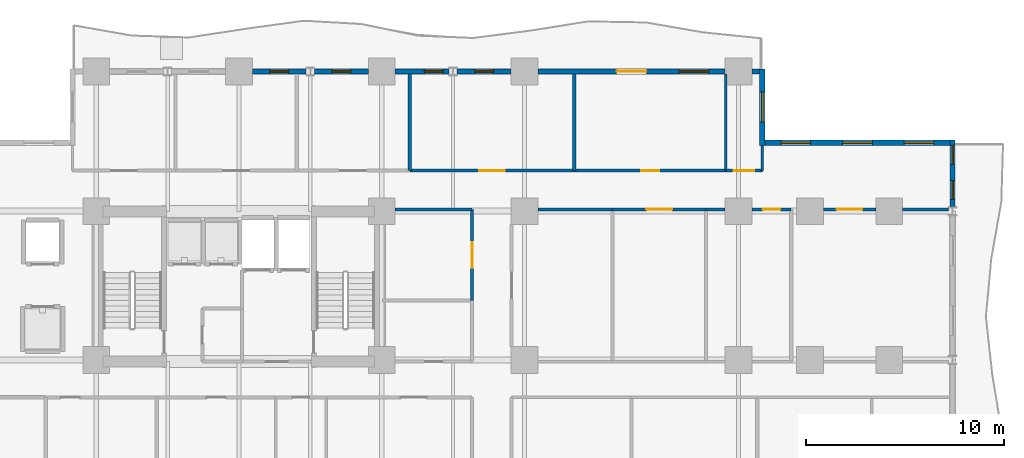
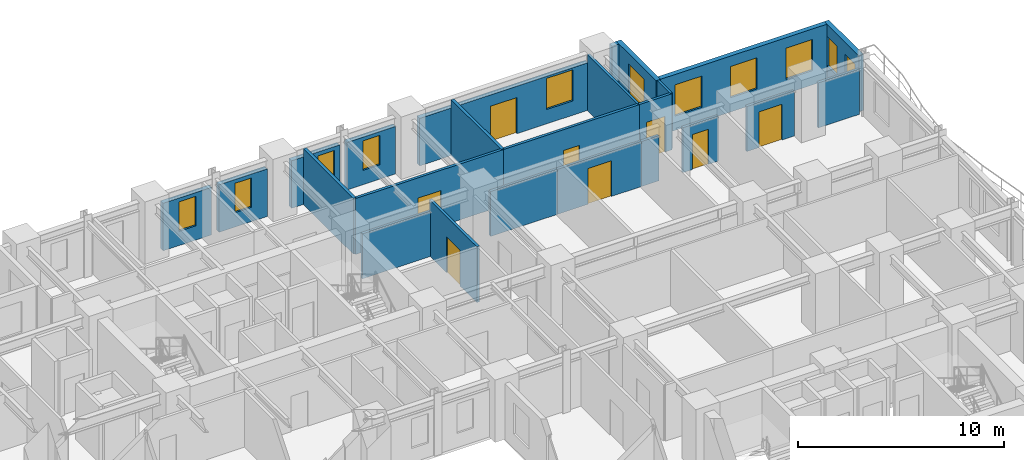
# One storey, part 7 of 12: 24 walls, 11 windows, 8 doors, 19 openings.
"""IFC4 building model written with IfcOpenShell, lengths in metres."""

import ifcopenshell
import ifcopenshell.guid

model = None  # the IFC model being written
_history = None  # IfcOwnerHistory: only IFC2X3 demands one
_inside = {}  # id of a spatial element -> (the spatial element, [elements in it])
_under = {}  # id of a project, library or spatial element -> (it, [spatial elements below it])
_declared = {}  # id of a project -> (the project, [libraries it declares])
_typed = {}  # id of a type object -> (the type object, [elements of that type])
_made_of = {}  # id of a material, layer set ... -> (it, [elements and type objects made of it])


def new_model(schema):
    """Start an empty IFC model of exactly this schema.

    Asked for "IFC4X3", IfcOpenShell would pick the latest addendum, in which some entities
    have other attributes; the version numbers below select the first issue.
    IFC2X3 requires an IfcOwnerHistory on every rooted entity: one is made here for all.
    """
    global model, _history
    if schema == "IFC4X3":
        model = ifcopenshell.file(schema_version=(4, 3, 0, 0))
    else:
        model = ifcopenshell.file(schema=schema)
    _inside.clear()
    _under.clear()
    _declared.clear()
    _typed.clear()
    _made_of.clear()
    _history = None
    if model.schema == "IFC2X3":
        org = make("IfcOrganization", Name="unknown")
        user = make(
            "IfcPersonAndOrganization",
            ThePerson=make("IfcPerson", FamilyName="unknown"),
            TheOrganization=org,
        )
        app = make(
            "IfcApplication",
            ApplicationDeveloper=org,
            Version="unknown",
            ApplicationFullName="unknown",
            ApplicationIdentifier="unknown",
        )
        _history = make(
            "IfcOwnerHistory",
            OwningUser=user,
            OwningApplication=app,
            ChangeAction="ADDED",
            CreationDate=0,
        )
    return model


def make(cls, **values):
    """One entity of the class cls with the attributes given. An attribute that is None is left unset."""
    return model.create_entity(
        cls, **{name: value for name, value in values.items() if value is not None}
    )


def rooted(cls, **values):
    """An entity with a GlobalId (a new one), such as an element, a storey or a relation."""
    return make(cls, GlobalId=ifcopenshell.guid.new(), OwnerHistory=_history, **values)


def si_unit(unit_type, name, prefix=None):
    """IfcSIUnit, for example si_unit("LENGTHUNIT", "METRE", prefix="MILLI")."""
    return make("IfcSIUnit", UnitType=unit_type, Prefix=prefix, Name=name)


def assignment(units):
    """IfcUnitAssignment: the units of a project."""
    return None if units is None else make("IfcUnitAssignment", Units=units)


def point(xyz):
    """IfcCartesianPoint."""
    return None if xyz is None else make("IfcCartesianPoint", Coordinates=xyz)


def direction(xyz):
    """IfcDirection."""
    return None if xyz is None else make("IfcDirection", DirectionRatios=xyz)


def frame(location, z_axis=None, x_axis=None):
    """IfcAxis2Placement3D, a coordinate frame: its origin and axes. An axis left out is left unset."""
    return make(
        "IfcAxis2Placement3D",
        Location=point(location),
        Axis=direction(z_axis),
        RefDirection=direction(x_axis),
    )


def frame_2d(location, x_axis=None):
    """IfcAxis2Placement2D, a coordinate frame in the plane: its origin and x axis."""
    return make(
        "IfcAxis2Placement2D", Location=point(location), RefDirection=direction(x_axis)
    )


def origin():
    """The frame at (0, 0, 0) with its axes left unset."""
    return frame((0.0, 0.0, 0.0))


def place(relative_to, where):
    """IfcLocalPlacement: puts the frame where relative to a parent placement (None: the world)."""
    return make(
        "IfcLocalPlacement", PlacementRelTo=relative_to, RelativePlacement=where
    )


def context(
    kind, dimensions, precision=None, world=None, true_north=None, identifier=None
):
    """IfcGeometricRepresentationContext, for example the 3D "Model" context."""
    return make(
        "IfcGeometricRepresentationContext",
        ContextIdentifier=identifier,
        ContextType=kind,
        CoordinateSpaceDimension=dimensions,
        Precision=precision,
        WorldCoordinateSystem=world,
        TrueNorth=true_north,
    )


def subcontext(parent, identifier, kind, view, scale=None):
    """IfcGeometricRepresentationSubContext, for example "Body" below "Model"."""
    return make(
        "IfcGeometricRepresentationSubContext",
        ContextIdentifier=identifier,
        ContextType=kind,
        ParentContext=parent,
        TargetScale=scale,
        TargetView=view,
    )


def project(units=None, contexts=None):
    """IfcProject with its units and contexts."""
    return rooted(
        "IfcProject",
        Name="project",
        RepresentationContexts=contexts,
        UnitsInContext=assignment(units),
    )


def spatial(cls, under=None, at=None, **own):
    """A site, building, storey or space (cls), placed at a placement, below another one or the project."""
    s = rooted(cls, ObjectPlacement=at, **own)
    if under is not None:
        _under.setdefault(under.id(), (under, []))[1].append(s)
    return s


def profile(cls, at=None, kind="AREA", **sizes):
    """A parametric profile (cls). Its sizes go by their IFC names, for example OverallWidth=200.0."""
    return make(cls, ProfileType=kind, Position=at, **sizes)


def rectangle(**sizes):
    """IfcRectangleProfileDef."""
    return profile("IfcRectangleProfileDef", **sizes)


def extrude(swept, where, along, depth):
    """IfcExtrudedAreaSolid: the profile swept, set in the frame where, extruded along a direction by depth."""
    return make(
        "IfcExtrudedAreaSolid",
        SweptArea=swept,
        Position=where,
        ExtrudedDirection=direction(along),
        Depth=depth,
    )


def shape(context_of_items, identifier, shape_type, items):
    """IfcShapeRepresentation: the items that make up one representation, for example the "Body"."""
    return make(
        "IfcShapeRepresentation",
        ContextOfItems=context_of_items,
        RepresentationIdentifier=identifier,
        RepresentationType=shape_type,
        Items=items,
    )


def material(Name=None, Category=None):
    """IfcMaterial."""
    return make("IfcMaterial", Name=Name, Category=Category)


def layer(
    of_material, thickness, ventilated=None, Name=None, Category=None, Priority=None
):
    """IfcMaterialLayer: one layer of a wall or slab, of a material (None: an air gap)."""
    return make(
        "IfcMaterialLayer",
        Material=of_material,
        LayerThickness=thickness,
        IsVentilated=ventilated,
        Name=Name,
        Category=Category,
        Priority=Priority,
    )


def layer_set(layers, Name=None):
    """IfcMaterialLayerSet."""
    return make("IfcMaterialLayerSet", MaterialLayers=layers, LayerSetName=Name)


def made_of(thing, what):
    """Note that an element or type object is made of a material, layer set ...; save() writes the relation."""
    if what is not None:
        _made_of.setdefault(what.id(), (what, []))[1].append(thing)
    return thing


def type_object(cls, material=None, **own):
    """A type object (cls), such as IfcWallType, which elements share."""
    return made_of(rooted(cls, **own), material)


def element(
    cls,
    number,
    at=None,
    inside=None,
    cuts=None,
    type_object=None,
    material=None,
    context=None,
    identifier="Body",
    shape_type=None,
    held_by="IfcProductDefinitionShape",
    body=None,
    shapes=None,
    **own,
):
    """One element of the class cls, such as IfcWall. Its Tag is "e" and its number.

    at: its placement. inside: the storey or other place that contains it. cuts: it is an
    opening in that element (IfcRelVoidsElement). A single representation is given by context,
    identifier, shape_type and body (its items); several are given by shapes. held_by: the class
    of the entity that holds the representations. save() writes the other relations.
    """
    e = rooted(cls, Tag="e%d" % number, ObjectPlacement=at, **own)
    if body is not None:
        shapes = [shape(context, identifier, shape_type, body)]
    if shapes is not None:
        e.Representation = make(held_by, Representations=shapes)
    if inside is not None:
        _inside.setdefault(inside.id(), (inside, []))[1].append(e)
    if cuts is not None:
        rooted(
            "IfcRelVoidsElement", RelatingBuildingElement=cuts, RelatedOpeningElement=e
        )
    if type_object is not None:
        _typed.setdefault(type_object.id(), (type_object, []))[1].append(e)
    return made_of(e, material)


def fill(opening, filler):
    """IfcRelFillsElement: the door or window that sits in an opening."""
    return rooted(
        "IfcRelFillsElement",
        RelatingOpeningElement=opening,
        RelatedBuildingElement=filler,
    )


def aggregate(whole, parts):
    """IfcRelAggregates: a whole, such as a stair, and the parts it consists of."""
    return rooted("IfcRelAggregates", RelatingObject=whole, RelatedObjects=parts)


def save(model, path):
    """Write the relations noted so far, then the file.

    IfcRelAggregates (storeys below a building ...), IfcRelContainedInSpatialStructure (elements
    in a storey), IfcRelDefinesByType, IfcRelAssociatesMaterial and IfcRelDeclares: one each for
    every whole, place, type object, material and project.
    """
    for whole, parts in _under.values():
        aggregate(whole, parts)
    for where, things in _inside.values():
        rooted(
            "IfcRelContainedInSpatialStructure",
            RelatedElements=things,
            RelatingStructure=where,
        )
    for kind, things in _typed.values():
        rooted("IfcRelDefinesByType", RelatedObjects=things, RelatingType=kind)
    for what, things in _made_of.values():
        rooted("IfcRelAssociatesMaterial", RelatedObjects=things, RelatingMaterial=what)
    for by, libraries in _declared.values():
        rooted("IfcRelDeclares", RelatingContext=by, RelatedDefinitions=libraries)
    model.write(path)


model = new_model("IFC4")

# Units and contexts
model_context = context("Model", 3, precision=1e-05, world=origin(), true_north=direction((0.0, 1.0)))
body_context = subcontext(model_context, "Body", "Model", "MODEL_VIEW")
ifc_project = project(units=[si_unit("LENGTHUNIT", "METRE"), si_unit("AREAUNIT", "SQUARE_METRE"), si_unit("VOLUMEUNIT", "CUBIC_METRE"), si_unit("PLANEANGLEUNIT", "RADIAN"), si_unit("MASSUNIT", "GRAM", prefix="KILO")], contexts=[model_context])

# Site, building, storey
site_placement = place(None, origin())
site = spatial("IfcSite", under=ifc_project, at=site_placement, CompositionType="ELEMENT")
building_placement = place(site_placement, origin())
building = spatial("IfcBuilding", under=site, at=building_placement, Name="Kaliganga Portal Commons", CompositionType="ELEMENT")
storey_placement = place(building_placement, frame((0.0, 0.0, 69.699951171875)))
storey = spatial("IfcBuildingStorey", under=building, at=storey_placement, Name="L17", CompositionType="ELEMENT", Elevation=69.699951171875)

# Wall, openings, windows
ifc_material_1 = material(Name="Insulated Aluminium-Clad Spandrel Assembly", Category="aluminium")
ifc_layer_1 = layer(ifc_material_1, 0.260009765625)
ifc_layer_set_1 = layer_set([ifc_layer_1], Name="Insulated Aluminium-Clad Spandrel Assembly")
wall_type_1 = type_object("IfcWallType", Name="WL-EXT-SPAND-260", PredefinedType="STANDARD", material=ifc_layer_set_1)
wall_1_placement = place(storey_placement, frame((57.60009765625, 39.72998046875, 0.0), z_axis=(0.0, 0.0, 1.0), x_axis=(0.0, -1.0, 0.0)))
wall_1 = element("IfcWall", 1, at=wall_1_placement, inside=storey, type_object=wall_type_1, Name="Exterior Envelope Wall L17 P1-E03-S6", PredefinedType="STANDARD", context=body_context, shape_type="SweptSolid", body=[
    extrude(rectangle(XDim=3.35595703125, YDim=0.260009765625, at=frame_2d((1.677978515625, 0.0))), origin(), (0.0, 0.0, 1.0), 3.320068359375),
])
opening_1_placement = place(wall_1_placement, frame((2.035400390625, 0.0, 0.85009765625)))
opening_1 = element("IfcOpeningElement", 2, at=opening_1_placement, cuts=wall_1, Name="Opening W-04", PredefinedType="OPENING", context=body_context, shape_type="SweptSolid", body=[
    extrude(rectangle(XDim=0.949951171875, YDim=1.75, at=frame_2d((0.47509765625, 0.875))), frame((0.0, 0.14013671875, 0.0), z_axis=(0.0, -1.0, 0.0), x_axis=(1.0, 0.0, 0.0)), (0.0, 0.0, 1.0), 0.280029296875),
])
opening_2_placement = place(wall_1_placement, frame((0.26318359375, 0.0, 0.85009765625)))
opening_2 = element("IfcOpeningElement", 3, at=opening_2_placement, cuts=wall_1, Name="Opening W-04", PredefinedType="OPENING", context=body_context, shape_type="SweptSolid", body=[
    extrude(rectangle(XDim=0.949951171875, YDim=1.75, at=frame_2d((0.47509765625, 0.875))), frame((0.0, 0.14013671875, 0.0), z_axis=(0.0, -1.0, 0.0), x_axis=(1.0, 0.0, 0.0)), (0.0, 0.0, 1.0), 0.280029296875),
])
ifc_material_2 = material(Name="Thermally Broken Aluminium and Low-E Double Glazing", Category="aluminium")
window_type_1 = type_object("IfcWindowType", Name="WIN-NARROW-950", PartitioningType="SINGLE_PANEL", PredefinedType="WINDOW", material=ifc_material_2)
window_1_placement = place(opening_1_placement, origin())
window_1 = element("IfcWindow", 4, at=window_1_placement, inside=storey, type_object=window_type_1, Name="Facade Window L17-P1E03S6-N2", OverallHeight=1.75, OverallWidth=0.949951171875, PartitioningType="SINGLE_PANEL", PredefinedType="WINDOW", context=body_context, shape_type="SweptSolid", body=[
    extrude(rectangle(XDim=0.949951171875, YDim=1.75, at=frame_2d((0.47509765625, 0.875))), frame((0.0, 0.030029296875, 0.0), z_axis=(0.0, -1.0, 0.0), x_axis=(1.0, 0.0, 0.0)), (0.0, 0.0, 1.0), 0.06005859375),
])
fill(opening_1, window_1)
window_2_placement = place(opening_2_placement, origin())
window_2 = element("IfcWindow", 5, at=window_2_placement, inside=storey, type_object=window_type_1, Name="Facade Window L17-P1E03S6-N9", OverallHeight=1.75, OverallWidth=0.949951171875, PartitioningType="SINGLE_PANEL", PredefinedType="WINDOW", context=body_context, shape_type="SweptSolid", body=[
    extrude(rectangle(XDim=0.949951171875, YDim=1.75, at=frame_2d((0.47509765625, 0.875))), frame((0.0, 0.030029296875, 0.0), z_axis=(0.0, -1.0, 0.0), x_axis=(1.0, 0.0, 0.0)), (0.0, 0.0, 1.0), 0.06005859375),
])
fill(opening_2, window_2)

wall_2_placement = place(storey_placement, frame((48.135009765625, 39.60009765625, 0.0), z_axis=(0.0, 0.0, 1.0), x_axis=(1.0, 0.0, 0.0)))
wall_2 = element("IfcWall", 6, at=wall_2_placement, inside=storey, type_object=wall_type_1, Name="Exterior Envelope Wall L17 P1-E04-S1", PredefinedType="STANDARD", context=body_context, shape_type="SweptSolid", body=[
    extrude(rectangle(XDim=9.330078125, YDim=0.260009765625, at=frame_2d((4.6650390625, 0.0))), origin(), (0.0, 0.0, 1.0), 3.320068359375),
])
opening_3_placement = place(wall_2_placement, frame((0.804931640625, 0.0, 0.85009765625)))
opening_3 = element("IfcOpeningElement", 7, at=opening_3_placement, cuts=wall_2, Name="Opening W-02", PredefinedType="OPENING", context=body_context, shape_type="SweptSolid", body=[
    extrude(rectangle(XDim=1.5, YDim=1.85009765625, at=frame_2d((0.75, 0.925048828125))), frame((0.0, 0.14013671875, 0.0), z_axis=(0.0, -1.0, 0.0), x_axis=(1.0, 0.0, 0.0)), (0.0, 0.0, 1.0), 0.280029296875),
])
opening_4_placement = place(wall_2_placement, frame((3.9150390625, 0.0, 0.85009765625)))
opening_4 = element("IfcOpeningElement", 8, at=opening_4_placement, cuts=wall_2, Name="Opening W-02", PredefinedType="OPENING", context=body_context, shape_type="SweptSolid", body=[
    extrude(rectangle(XDim=1.5, YDim=1.85009765625, at=frame_2d((0.75, 0.925048828125))), frame((0.0, 0.14013671875, 0.0), z_axis=(0.0, -1.0, 0.0), x_axis=(1.0, 0.0, 0.0)), (0.0, 0.0, 1.0), 0.280029296875),
])
opening_5_placement = place(wall_2_placement, frame((7.02490234375, 0.0, 0.85009765625)))
opening_5 = element("IfcOpeningElement", 9, at=opening_5_placement, cuts=wall_2, Name="Opening W-02", PredefinedType="OPENING", context=body_context, shape_type="SweptSolid", body=[
    extrude(rectangle(XDim=1.5, YDim=1.85009765625, at=frame_2d((0.75, 0.925048828125))), frame((0.0, 0.14013671875, 0.0), z_axis=(0.0, -1.0, 0.0), x_axis=(1.0, 0.0, 0.0)), (0.0, 0.0, 1.0), 0.280029296875),
])
window_type_2 = type_object("IfcWindowType", Name="WIN-STD-1500", PartitioningType="DOUBLE_PANEL_VERTICAL", PredefinedType="WINDOW", material=ifc_material_2)
window_3_placement = place(opening_3_placement, origin())
window_3 = element("IfcWindow", 10, at=window_3_placement, inside=storey, type_object=window_type_2, Name="Facade Window L17-P1E04S1-00", OverallHeight=1.85009765625, OverallWidth=1.5, PartitioningType="SINGLE_PANEL", PredefinedType="WINDOW", context=body_context, shape_type="SweptSolid", body=[
    extrude(rectangle(XDim=1.5, YDim=1.85009765625, at=frame_2d((0.75, 0.925048828125))), frame((0.0, 0.030029296875, 0.0), z_axis=(0.0, -1.0, 0.0), x_axis=(1.0, 0.0, 0.0)), (0.0, 0.0, 1.0), 0.06005859375),
])
fill(opening_3, window_3)
window_4_placement = place(opening_4_placement, origin())
window_4 = element("IfcWindow", 11, at=window_4_placement, inside=storey, type_object=window_type_2, Name="Facade Window L17-P1E04S1-01", OverallHeight=1.85009765625, OverallWidth=1.5, PartitioningType="SINGLE_PANEL", PredefinedType="WINDOW", context=body_context, shape_type="SweptSolid", body=[
    extrude(rectangle(XDim=1.5, YDim=1.85009765625, at=frame_2d((0.75, 0.925048828125))), frame((0.0, 0.030029296875, 0.0), z_axis=(0.0, -1.0, 0.0), x_axis=(1.0, 0.0, 0.0)), (0.0, 0.0, 1.0), 0.06005859375),
])
fill(opening_4, window_4)
window_5_placement = place(opening_5_placement, origin())
window_5 = element("IfcWindow", 12, at=window_5_placement, inside=storey, type_object=window_type_2, Name="Facade Window L17-P1E04S1-02", OverallHeight=1.85009765625, OverallWidth=1.5, PartitioningType="SINGLE_PANEL", PredefinedType="WINDOW", context=body_context, shape_type="SweptSolid", body=[
    extrude(rectangle(XDim=1.5, YDim=1.85009765625, at=frame_2d((0.75, 0.925048828125))), frame((0.0, 0.030029296875, 0.0), z_axis=(0.0, -1.0, 0.0), x_axis=(1.0, 0.0, 0.0)), (0.0, 0.0, 1.0), 0.06005859375),
])
fill(opening_5, window_5)

# Wall, opening, window
wall_3_placement = place(storey_placement, frame((48.0, 43.330078125, 0.0), z_axis=(0.0, 0.0, 1.0), x_axis=(0.0, -1.0, 0.0)))
wall_3 = element("IfcWall", 13, at=wall_3_placement, inside=storey, type_object=wall_type_1, Name="Exterior Envelope Wall L17 P1-E05-S1", PredefinedType="STANDARD", context=body_context, shape_type="SweptSolid", body=[
    extrude(rectangle(XDim=3.860107421875, YDim=0.260009765625, at=frame_2d((1.93017578125, 0.0))), origin(), (0.0, 0.0, 1.0), 3.320068359375),
])
opening_6_placement = place(wall_3_placement, frame((1.179931640625, 0.0, 0.85009765625)))
opening_6 = element("IfcOpeningElement", 14, at=opening_6_placement, cuts=wall_3, Name="Opening W-02", PredefinedType="OPENING", context=body_context, shape_type="SweptSolid", body=[
    extrude(rectangle(XDim=1.5, YDim=1.85009765625, at=frame_2d((0.75, 0.925048828125))), frame((0.0, 0.14013671875, 0.0), z_axis=(0.0, -1.0, 0.0), x_axis=(1.0, 0.0, 0.0)), (0.0, 0.0, 1.0), 0.280029296875),
])
window_6_placement = place(opening_6_placement, origin())
window_6 = element("IfcWindow", 15, at=window_6_placement, inside=storey, type_object=window_type_2, Name="Facade Window L17-P1E05S1-00", OverallHeight=1.85009765625, OverallWidth=1.5, PartitioningType="SINGLE_PANEL", PredefinedType="WINDOW", context=body_context, shape_type="SweptSolid", body=[
    extrude(rectangle(XDim=1.5, YDim=1.85009765625, at=frame_2d((0.75, 0.925048828125))), frame((0.0, 0.030029296875, 0.0), z_axis=(0.0, -1.0, 0.0), x_axis=(1.0, 0.0, 0.0)), (0.0, 0.0, 1.0), 0.06005859375),
])
fill(opening_6, window_6)

# Wall
wall_4_placement = place(storey_placement, frame((47.47607421875, 43.199951171875, 0.0), z_axis=(0.0, 0.0, 1.0), x_axis=(1.0, 0.0, 0.0)))
element("IfcWall", 16, at=wall_4_placement, inside=storey, type_object=wall_type_1, Name="Exterior Envelope Wall L17 P1-E06-S1", PredefinedType="STANDARD", context=body_context, shape_type="SweptSolid", body=[
    extrude(rectangle(XDim=0.388916015625, YDim=0.260009765625, at=frame_2d((0.1943359375, 0.0))), origin(), (0.0, 0.0, 1.0), 3.320068359375),
])

# Wall, openings, door, window
wall_5_placement = place(storey_placement, frame((36.676025390625, 43.199951171875, 0.0), z_axis=(0.0, 0.0, 1.0), x_axis=(1.0, 0.0, 0.0)))
wall_5 = element("IfcWall", 17, at=wall_5_placement, inside=storey, type_object=wall_type_1, Name="Exterior Envelope Wall L17 P1-E06-S2", PredefinedType="STANDARD", context=body_context, shape_type="SweptSolid", body=[
    extrude(rectangle(XDim=9.447998046875, YDim=0.260009765625, at=frame_2d((4.72412109375, 0.0))), origin(), (0.0, 0.0, 1.0), 2.820068359375),
])
opening_7_placement = place(wall_5_placement, frame((3.97412109375, 0.0, 0.0)))
opening_7 = element("IfcOpeningElement", 18, at=opening_7_placement, cuts=wall_5, Name="Opening BD-01", PredefinedType="OPENING", context=body_context, shape_type="SweptSolid", body=[
    extrude(rectangle(XDim=1.5, YDim=2.14990234375, at=frame_2d((0.75, 1.074951171875))), frame((0.0, 0.14013671875, 0.0), z_axis=(0.0, -1.0, 0.0), x_axis=(1.0, 0.0, 0.0)), (0.0, 0.0, 1.0), 0.280029296875),
])
opening_8_placement = place(wall_5_placement, frame((7.123291015625, 0.0, 0.85009765625)))
opening_8 = element("IfcOpeningElement", 19, at=opening_8_placement, cuts=wall_5, Name="Opening W-02", PredefinedType="OPENING", context=body_context, shape_type="SweptSolid", body=[
    extrude(rectangle(XDim=1.5, YDim=1.85009765625, at=frame_2d((0.75, 0.925048828125))), frame((0.0, 0.14013671875, 0.0), z_axis=(0.0, -1.0, 0.0), x_axis=(1.0, 0.0, 0.0)), (0.0, 0.0, 1.0), 0.280029296875),
])
ifc_material_3 = material(Name="Anodized Aluminium and Laminated Safety Glass", Category="aluminium")
door_type_1 = type_object("IfcDoorType", Name="DR-BALC-1500", OperationType="SLIDING_TO_LEFT", PredefinedType="DOOR", material=ifc_material_3)
door_1_placement = place(opening_7_placement, origin())
door_1 = element("IfcDoor", 20, at=door_1_placement, inside=storey, type_object=door_type_1, Name="Balcony Sliding Door L17 balc_north", OperationType="SLIDING_TO_LEFT", OverallHeight=2.14990234375, OverallWidth=1.5, PredefinedType="DOOR", context=body_context, shape_type="SweptSolid", body=[
    extrude(rectangle(XDim=1.5, YDim=2.14990234375, at=frame_2d((0.75, 1.074951171875))), frame((0.0, 0.02490234375, 0.0), z_axis=(0.0, -1.0, 0.0), x_axis=(1.0, 0.0, 0.0)), (0.0, 0.0, 1.0), 0.050048828125),
])
fill(opening_7, door_1)
window_7_placement = place(opening_8_placement, origin())
window_7 = element("IfcWindow", 21, at=window_7_placement, inside=storey, type_object=window_type_2, Name="Facade Window L17-P1E06S2-02", OverallHeight=1.85009765625, OverallWidth=1.5, PartitioningType="SINGLE_PANEL", PredefinedType="WINDOW", context=body_context, shape_type="SweptSolid", body=[
    extrude(rectangle(XDim=1.5, YDim=1.85009765625, at=frame_2d((0.75, 0.925048828125))), frame((0.0, 0.030029296875, 0.0), z_axis=(0.0, -1.0, 0.0), x_axis=(1.0, 0.0, 0.0)), (0.0, 0.0, 1.0), 0.06005859375),
])
fill(opening_8, window_7)

# Wall, opening, window
wall_6_placement = place(storey_placement, frame((32.60888671875, 43.199951171875, 0.0), z_axis=(0.0, 0.0, 1.0), x_axis=(1.0, 0.0, 0.0)))
wall_6 = element("IfcWall", 22, at=wall_6_placement, inside=storey, type_object=wall_type_1, Name="Exterior Envelope Wall L17 P1-E06-S3", PredefinedType="STANDARD", context=body_context, shape_type="SweptSolid", body=[
    extrude(rectangle(XDim=2.715087890625, YDim=0.260009765625, at=frame_2d((1.357421875, 0.0))), origin(), (0.0, 0.0, 1.0), 2.820068359375),
])
opening_9_placement = place(wall_6_placement, frame((0.882568359375, 0.0, 0.85009765625)))
opening_9 = element("IfcOpeningElement", 23, at=opening_9_placement, cuts=wall_6, Name="Opening W-04", PredefinedType="OPENING", context=body_context, shape_type="SweptSolid", body=[
    extrude(rectangle(XDim=0.949951171875, YDim=1.75, at=frame_2d((0.47509765625, 0.875))), frame((0.0, 0.14013671875, 0.0), z_axis=(0.0, -1.0, 0.0), x_axis=(1.0, 0.0, 0.0)), (0.0, 0.0, 1.0), 0.280029296875),
])
window_8_placement = place(opening_9_placement, origin())
window_8 = element("IfcWindow", 24, at=window_8_placement, inside=storey, type_object=window_type_1, Name="Facade Window L17-P1E06S3-00", OverallHeight=1.75, OverallWidth=0.949951171875, PartitioningType="SINGLE_PANEL", PredefinedType="WINDOW", context=body_context, shape_type="SweptSolid", body=[
    extrude(rectangle(XDim=0.949951171875, YDim=1.75, at=frame_2d((0.47509765625, 0.875))), frame((0.0, 0.030029296875, 0.0), z_axis=(0.0, -1.0, 0.0), x_axis=(1.0, 0.0, 0.0)), (0.0, 0.0, 1.0), 0.06005859375),
])
fill(opening_9, window_8)

wall_7_placement = place(storey_placement, frame((29.47607421875, 43.199951171875, 0.0), z_axis=(0.0, 0.0, 1.0), x_axis=(1.0, 0.0, 0.0)))
wall_7 = element("IfcWall", 25, at=wall_7_placement, inside=storey, type_object=wall_type_1, Name="Exterior Envelope Wall L17 P1-E06-S4", PredefinedType="STANDARD", context=body_context, shape_type="SweptSolid", body=[
    extrude(rectangle(XDim=2.71484375, YDim=0.260009765625, at=frame_2d((1.357421875, 0.0))), origin(), (0.0, 0.0, 1.0), 2.820068359375),
])
opening_10_placement = place(wall_7_placement, frame((1.479736328125, 0.0, 0.85009765625)))
opening_10 = element("IfcOpeningElement", 26, at=opening_10_placement, cuts=wall_7, Name="Opening W-04", PredefinedType="OPENING", context=body_context, shape_type="SweptSolid", body=[
    extrude(rectangle(XDim=0.949951171875, YDim=1.75, at=frame_2d((0.47509765625, 0.875))), frame((0.0, 0.14013671875, 0.0), z_axis=(0.0, -1.0, 0.0), x_axis=(1.0, 0.0, 0.0)), (0.0, 0.0, 1.0), 0.280029296875),
])
window_9_placement = place(opening_10_placement, origin())
window_9 = element("IfcWindow", 27, at=window_9_placement, inside=storey, type_object=window_type_1, Name="Facade Window L17-P1E06S4-N4", OverallHeight=1.75, OverallWidth=0.949951171875, PartitioningType="SINGLE_PANEL", PredefinedType="WINDOW", context=body_context, shape_type="SweptSolid", body=[
    extrude(rectangle(XDim=0.949951171875, YDim=1.75, at=frame_2d((0.47509765625, 0.875))), frame((0.0, 0.030029296875, 0.0), z_axis=(0.0, -1.0, 0.0), x_axis=(1.0, 0.0, 0.0)), (0.0, 0.0, 1.0), 0.06005859375),
])
fill(opening_10, window_9)

wall_8_placement = place(storey_placement, frame((25.408935546875, 43.199951171875, 0.0), z_axis=(0.0, 0.0, 1.0), x_axis=(1.0, 0.0, 0.0)))
wall_8 = element("IfcWall", 28, at=wall_8_placement, inside=storey, type_object=wall_type_1, Name="Exterior Envelope Wall L17 P1-E06-S5", PredefinedType="STANDARD", context=body_context, shape_type="SweptSolid", body=[
    extrude(rectangle(XDim=2.715087890625, YDim=0.260009765625, at=frame_2d((1.357421875, 0.0))), origin(), (0.0, 0.0, 1.0), 2.820068359375),
])
opening_11_placement = place(wall_8_placement, frame((0.882568359375, 0.0, 0.85009765625)))
opening_11 = element("IfcOpeningElement", 29, at=opening_11_placement, cuts=wall_8, Name="Opening W-04", PredefinedType="OPENING", context=body_context, shape_type="SweptSolid", body=[
    extrude(rectangle(XDim=0.949951171875, YDim=1.75, at=frame_2d((0.47509765625, 0.875))), frame((0.0, 0.14013671875, 0.0), z_axis=(0.0, -1.0, 0.0), x_axis=(1.0, 0.0, 0.0)), (0.0, 0.0, 1.0), 0.280029296875),
])
window_10_placement = place(opening_11_placement, origin())
window_10 = element("IfcWindow", 30, at=window_10_placement, inside=storey, type_object=window_type_1, Name="Facade Window L17-P1E06S5-00", OverallHeight=1.75, OverallWidth=0.949951171875, PartitioningType="SINGLE_PANEL", PredefinedType="WINDOW", context=body_context, shape_type="SweptSolid", body=[
    extrude(rectangle(XDim=0.949951171875, YDim=1.75, at=frame_2d((0.47509765625, 0.875))), frame((0.0, 0.030029296875, 0.0), z_axis=(0.0, -1.0, 0.0), x_axis=(1.0, 0.0, 0.0)), (0.0, 0.0, 1.0), 0.06005859375),
])
fill(opening_11, window_10)

wall_9_placement = place(storey_placement, frame((22.27587890625, 43.199951171875, 0.0), z_axis=(0.0, 0.0, 1.0), x_axis=(1.0, 0.0, 0.0)))
wall_9 = element("IfcWall", 31, at=wall_9_placement, inside=storey, type_object=wall_type_1, Name="Exterior Envelope Wall L17 P1-E06-S6", PredefinedType="STANDARD", context=body_context, shape_type="SweptSolid", body=[
    extrude(rectangle(XDim=2.715087890625, YDim=0.260009765625, at=frame_2d((1.357421875, 0.0))), origin(), (0.0, 0.0, 1.0), 2.820068359375),
])
opening_12_placement = place(wall_9_placement, frame((0.882568359375, 0.0, 0.85009765625)))
opening_12 = element("IfcOpeningElement", 32, at=opening_12_placement, cuts=wall_9, Name="Opening W-04", PredefinedType="OPENING", context=body_context, shape_type="SweptSolid", body=[
    extrude(rectangle(XDim=0.949951171875, YDim=1.75, at=frame_2d((0.47509765625, 0.875))), frame((0.0, 0.14013671875, 0.0), z_axis=(0.0, -1.0, 0.0), x_axis=(1.0, 0.0, 0.0)), (0.0, 0.0, 1.0), 0.280029296875),
])
window_11_placement = place(opening_12_placement, origin())
window_11 = element("IfcWindow", 33, at=window_11_placement, inside=storey, type_object=window_type_1, Name="Facade Window L17-P1E06S6-00", OverallHeight=1.75, OverallWidth=0.949951171875, PartitioningType="SINGLE_PANEL", PredefinedType="WINDOW", context=body_context, shape_type="SweptSolid", body=[
    extrude(rectangle(XDim=0.949951171875, YDim=1.75, at=frame_2d((0.47509765625, 0.875))), frame((0.0, 0.030029296875, 0.0), z_axis=(0.0, -1.0, 0.0), x_axis=(1.0, 0.0, 0.0)), (0.0, 0.0, 1.0), 0.06005859375),
])
fill(opening_12, window_11)

# Wall, opening, door
ifc_material_4 = material(Name="Fire-Rated Gypsum Board on Steel Stud", Category="steel")
ifc_layer_2 = layer(ifc_material_4, 0.14990234375)
ifc_layer_set_2 = layer_set([ifc_layer_2], Name="Fire-Rated Gypsum Board on Steel Stud")
wall_type_2 = type_object("IfcWallType", Name="WL-PART-CORR-150", PredefinedType="PARTITIONING", material=ifc_layer_set_2)
wall_10_placement = place(storey_placement, frame((30.219970703125, 38.199951171875, 0.0), z_axis=(0.0, 0.0, 1.0), x_axis=(1.0, 0.0, 0.0)))
wall_10 = element("IfcWall", 34, at=wall_10_placement, inside=storey, type_object=wall_type_2, Name="Interior Partition L17-006", PredefinedType="PARTITIONING", context=body_context, shape_type="SweptSolid", body=[
    extrude(rectangle(XDim=8.300048828125, YDim=0.14990234375, at=frame_2d((4.14990234375, 0.0))), origin(), (0.0, 0.0, 1.0), 3.320068359375),
])
opening_13_placement = place(wall_10_placement, frame((3.5, 0.0, 0.0)))
opening_13 = element("IfcOpeningElement", 35, at=opening_13_placement, cuts=wall_10, Name="Opening RD-03", PredefinedType="OPENING", context=body_context, shape_type="SweptSolid", body=[
    extrude(rectangle(XDim=1.300048828125, YDim=2.1201171875, at=frame_2d((0.64990234375, 1.06005859375))), frame((0.0, 0.0849609375, 0.0), z_axis=(0.0, -1.0, 0.0), x_axis=(1.0, 0.0, 0.0)), (0.0, 0.0, 1.0), 0.169921875),
])
ifc_material_5 = material(Name="Glazed Timber Seminar Vision Door", Category="wood")
door_type_2 = type_object("IfcDoorType", Name="DR-STUDY-1300", OperationType="DOUBLE_DOOR_SINGLE_SWING", PredefinedType="DOOR", material=ifc_material_5)
door_2_placement = place(opening_13_placement, origin())
door_2 = element("IfcDoor", 36, at=door_2_placement, inside=storey, type_object=door_type_2, Name="Interior Door L17-AN04", OperationType="DOUBLE_DOOR_SINGLE_SWING", OverallHeight=2.1201171875, OverallWidth=1.300048828125, PredefinedType="DOOR", context=body_context, shape_type="SweptSolid", body=[
    extrude(rectangle(XDim=1.300048828125, YDim=2.1201171875, at=frame_2d((0.64990234375, 1.06005859375))), frame((0.0, 0.02490234375, 0.0), z_axis=(0.0, -1.0, 0.0), x_axis=(1.0, 0.0, 0.0)), (0.0, 0.0, 1.0), 0.050048828125),
])
fill(opening_13, door_2)

wall_11_placement = place(storey_placement, frame((51.074951171875, 36.239990234375, 0.0), z_axis=(0.0, 0.0, 1.0), x_axis=(1.0, 0.0, 0.0)))
wall_11 = element("IfcWall", 37, at=wall_11_placement, inside=storey, type_object=wall_type_2, Name="Interior Partition L17-008", PredefinedType="PARTITIONING", context=body_context, shape_type="SweptSolid", body=[
    extrude(rectangle(XDim=2.650146484375, YDim=0.14990234375, at=frame_2d((1.3251953125, 0.0))), origin(), (0.0, 0.0, 1.0), 2.670166015625),
])
opening_14_placement = place(wall_11_placement, frame((0.675048828125, 0.0, 0.0)))
opening_14 = element("IfcOpeningElement", 38, at=opening_14_placement, cuts=wall_11, Name="Opening RD-03", PredefinedType="OPENING", context=body_context, shape_type="SweptSolid", body=[
    extrude(rectangle(XDim=1.300048828125, YDim=2.1201171875, at=frame_2d((0.64990234375, 1.06005859375))), frame((0.0, 0.0849609375, 0.0), z_axis=(0.0, -1.0, 0.0), x_axis=(1.0, 0.0, 0.0)), (0.0, 0.0, 1.0), 0.169921875),
])
door_3_placement = place(opening_14_placement, origin())
door_3 = element("IfcDoor", 39, at=door_3_placement, inside=storey, type_object=door_type_2, Name="Interior Door L17-BK04", OperationType="DOUBLE_DOOR_SINGLE_SWING", OverallHeight=2.1201171875, OverallWidth=1.300048828125, PredefinedType="DOOR", context=body_context, shape_type="SweptSolid", body=[
    extrude(rectangle(XDim=1.300048828125, YDim=2.1201171875, at=frame_2d((0.64990234375, 1.06005859375))), frame((0.0, 0.02490234375, 0.0), z_axis=(0.0, -1.0, 0.0), x_axis=(1.0, 0.0, 0.0)), (0.0, 0.0, 1.0), 0.050048828125),
])
fill(opening_14, door_3)

# Wall
wall_12_placement = place(storey_placement, frame((55.074951171875, 36.239990234375, 0.0), z_axis=(0.0, 0.0, 1.0), x_axis=(1.0, 0.0, 0.0)))
element("IfcWall", 40, at=wall_12_placement, inside=storey, type_object=wall_type_2, Name="Interior Partition L17-009", PredefinedType="PARTITIONING", context=body_context, shape_type="SweptSolid", body=[
    extrude(rectangle(XDim=2.317138671875, YDim=0.14990234375, at=frame_2d((1.15869140625, 0.0))), origin(), (0.0, 0.0, 1.0), 2.670166015625),
])

# Wall, opening, door
wall_13_placement = place(storey_placement, frame((38.52001953125, 38.199951171875, 0.0), z_axis=(0.0, 0.0, 1.0), x_axis=(1.0, 0.0, 0.0)))
wall_13 = element("IfcWall", 41, at=wall_13_placement, inside=storey, type_object=wall_type_2, Name="Interior Partition L17-011", PredefinedType="PARTITIONING", context=body_context, shape_type="SweptSolid", body=[
    extrude(rectangle(XDim=7.639892578125, YDim=0.14990234375, at=frame_2d((3.81982421875, 0.0))), origin(), (0.0, 0.0, 1.0), 3.320068359375),
])
opening_15_placement = place(wall_13_placement, frame((3.3701171875, 0.0, 0.0)))
opening_15 = element("IfcOpeningElement", 42, at=opening_15_placement, cuts=wall_13, Name="Opening RD-01", PredefinedType="OPENING", context=body_context, shape_type="SweptSolid", body=[
    extrude(rectangle(XDim=0.89990234375, YDim=2.080078125, at=frame_2d((0.449951171875, 1.0400390625))), frame((0.0, 0.0849609375, 0.0), z_axis=(0.0, -1.0, 0.0), x_axis=(1.0, 0.0, 0.0)), (0.0, 0.0, 1.0), 0.169921875),
])
ifc_material_6 = material(Name="Engineered Timber Flush Door", Category="wood")
door_type_3 = type_object("IfcDoorType", Name="DR-ROOM-900", OperationType="NOTDEFINED", PredefinedType="DOOR", material=ifc_material_6)
door_4_placement = place(opening_15_placement, origin())
door_4 = element("IfcDoor", 43, at=door_4_placement, inside=storey, type_object=door_type_3, Name="Interior Door L17-AN05", OperationType="SINGLE_SWING_RIGHT", OverallHeight=2.080078125, OverallWidth=0.89990234375, PredefinedType="DOOR", context=body_context, shape_type="SweptSolid", body=[
    extrude(rectangle(XDim=0.89990234375, YDim=2.080078125, at=frame_2d((0.449951171875, 1.0400390625))), frame((0.0, 0.02490234375, 0.0), z_axis=(0.0, -1.0, 0.0), x_axis=(1.0, 0.0, 0.0)), (0.0, 0.0, 1.0), 0.050048828125),
])
fill(opening_15, door_4)

# Wall
wall_14_placement = place(storey_placement, frame((36.675048828125, 36.239990234375, 0.0), z_axis=(0.0, 0.0, 1.0), x_axis=(1.0, 0.0, 0.0)))
element("IfcWall", 44, at=wall_14_placement, inside=storey, type_object=wall_type_2, Name="Interior Partition L17-028", PredefinedType="PARTITIONING", context=body_context, shape_type="SweptSolid", body=[
    extrude(rectangle(XDim=3.764892578125, YDim=0.14990234375, at=frame_2d((1.88232421875, 0.0))), origin(), (0.0, 0.0, 1.0), 2.670166015625),
])

# Wall, opening, door
wall_15_placement = place(storey_placement, frame((40.43994140625, 36.239990234375, 0.0), z_axis=(0.0, 0.0, 1.0), x_axis=(1.0, 0.0, 0.0)))
wall_15 = element("IfcWall", 45, at=wall_15_placement, inside=storey, type_object=wall_type_2, Name="Interior Partition L17-031", PredefinedType="PARTITIONING", context=body_context, shape_type="SweptSolid", body=[
    extrude(rectangle(XDim=4.719970703125, YDim=0.14990234375, at=frame_2d((2.35986328125, 0.0))), origin(), (0.0, 0.0, 1.0), 2.670166015625),
])
opening_16_placement = place(wall_15_placement, frame((1.7099609375, 0.0, 0.0)))
opening_16 = element("IfcOpeningElement", 46, at=opening_16_placement, cuts=wall_15, Name="Opening RD-03", PredefinedType="OPENING", context=body_context, shape_type="SweptSolid", body=[
    extrude(rectangle(XDim=1.300048828125, YDim=2.1201171875, at=frame_2d((0.64990234375, 1.06005859375))), frame((0.0, 0.0849609375, 0.0), z_axis=(0.0, -1.0, 0.0), x_axis=(1.0, 0.0, 0.0)), (0.0, 0.0, 1.0), 0.169921875),
])
door_5_placement = place(opening_16_placement, origin())
door_5 = element("IfcDoor", 47, at=door_5_placement, inside=storey, type_object=door_type_2, Name="Interior Door L17-BK02", OperationType="DOUBLE_DOOR_SINGLE_SWING", OverallHeight=2.1201171875, OverallWidth=1.300048828125, PredefinedType="DOOR", context=body_context, shape_type="SweptSolid", body=[
    extrude(rectangle(XDim=1.300048828125, YDim=2.1201171875, at=frame_2d((0.64990234375, 1.06005859375))), frame((0.0, 0.02490234375, 0.0), z_axis=(0.0, -1.0, 0.0), x_axis=(1.0, 0.0, 0.0)), (0.0, 0.0, 1.0), 0.050048828125),
])
fill(opening_16, door_5)

wall_16_placement = place(storey_placement, frame((33.360107421875, 31.639892578125, 0.0), z_axis=(0.0, 0.0, 1.0), x_axis=(0.0, 1.0, 0.0)))
wall_16 = element("IfcWall", 48, at=wall_16_placement, inside=storey, type_object=wall_type_2, Name="Interior Partition L17-032", PredefinedType="PARTITIONING", context=body_context, shape_type="SweptSolid", body=[
    extrude(rectangle(XDim=4.60009765625, YDim=0.14990234375, at=frame_2d((2.300048828125, 0.0))), origin(), (0.0, 0.0, 1.0), 3.320068359375),
])
opening_17_placement = place(wall_16_placement, frame((1.64990234375, 0.0, 0.0)))
opening_17 = element("IfcOpeningElement", 49, at=opening_17_placement, cuts=wall_16, Name="Opening RD-03", PredefinedType="OPENING", context=body_context, shape_type="SweptSolid", body=[
    extrude(rectangle(XDim=1.300048828125, YDim=2.1201171875, at=frame_2d((0.64990234375, 1.06005859375))), frame((0.0, 0.0849609375, 0.0), z_axis=(0.0, -1.0, 0.0), x_axis=(1.0, 0.0, 0.0)), (0.0, 0.0, 1.0), 0.169921875),
])
door_6_placement = place(opening_17_placement, origin())
door_6 = element("IfcDoor", 50, at=door_6_placement, inside=storey, type_object=door_type_2, Name="Interior Door L17-CSRV_A2", OperationType="DOUBLE_DOOR_SINGLE_SWING", OverallHeight=2.1201171875, OverallWidth=1.300048828125, PredefinedType="DOOR", context=body_context, shape_type="SweptSolid", body=[
    extrude(rectangle(XDim=1.300048828125, YDim=2.1201171875, at=frame_2d((0.64990234375, 1.06005859375))), frame((0.0, 0.02490234375, 0.0), z_axis=(0.0, -1.0, 0.0), x_axis=(1.0, 0.0, 0.0)), (0.0, 0.0, 1.0), 0.050048828125),
])
fill(opening_17, door_6)

# Walls
wall_17_placement = place(storey_placement, frame((29.47509765625, 36.239990234375, 0.0), z_axis=(0.0, 0.0, 1.0), x_axis=(1.0, 0.0, 0.0)))
element("IfcWall", 51, at=wall_17_placement, inside=storey, type_object=wall_type_2, Name="Interior Partition L17-035", PredefinedType="PARTITIONING", context=body_context, shape_type="SweptSolid", body=[
    extrude(rectangle(XDim=3.885009765625, YDim=0.14990234375, at=frame_2d((1.9423828125, 0.0))), origin(), (0.0, 0.0, 1.0), 2.670166015625),
])
wall_18_placement = place(storey_placement, frame((45.159912109375, 36.239990234375, 0.0), z_axis=(0.0, 0.0, 1.0), x_axis=(1.0, 0.0, 0.0)))
element("IfcWall", 52, at=wall_18_placement, inside=storey, type_object=wall_type_2, Name="Interior Partition L17-036", PredefinedType="PARTITIONING", context=body_context, shape_type="SweptSolid", body=[
    extrude(rectangle(XDim=0.965087890625, YDim=0.14990234375, at=frame_2d((0.482421875, 0.0))), origin(), (0.0, 0.0, 1.0), 2.670166015625),
])

# Wall, opening, door
wall_19_placement = place(storey_placement, frame((47.47509765625, 36.239990234375, 0.0), z_axis=(0.0, 0.0, 1.0), x_axis=(1.0, 0.0, 0.0)))
wall_19 = element("IfcWall", 53, at=wall_19_placement, inside=storey, type_object=wall_type_2, Name="Interior Partition L17-037", PredefinedType="PARTITIONING", context=body_context, shape_type="SweptSolid", body=[
    extrude(rectangle(XDim=1.98486328125, YDim=0.14990234375, at=frame_2d((0.992431640625, 0.0))), origin(), (0.0, 0.0, 1.0), 2.670166015625),
])
opening_18_placement = place(wall_19_placement, frame((0.54248046875, 0.0, 0.0)))
opening_18 = element("IfcOpeningElement", 54, at=opening_18_placement, cuts=wall_19, Name="Opening RD-01", PredefinedType="OPENING", context=body_context, shape_type="SweptSolid", body=[
    extrude(rectangle(XDim=0.89990234375, YDim=2.080078125, at=frame_2d((0.449951171875, 1.0400390625))), frame((0.0, 0.0849609375, 0.0), z_axis=(0.0, -1.0, 0.0), x_axis=(1.0, 0.0, 0.0)), (0.0, 0.0, 1.0), 0.169921875),
])
door_7_placement = place(opening_18_placement, origin())
door_7 = element("IfcDoor", 55, at=door_7_placement, inside=storey, type_object=door_type_3, Name="Interior Door L17-BK03", OperationType="SINGLE_SWING_LEFT", OverallHeight=2.080078125, OverallWidth=0.89990234375, PredefinedType="DOOR", context=body_context, shape_type="SweptSolid", body=[
    extrude(rectangle(XDim=0.89990234375, YDim=2.080078125, at=frame_2d((0.449951171875, 1.0400390625))), frame((0.0, 0.02490234375, 0.0), z_axis=(0.0, -1.0, 0.0), x_axis=(1.0, 0.0, 0.0)), (0.0, 0.0, 1.0), 0.050048828125),
])
fill(opening_18, door_7)

wall_20_placement = place(storey_placement, frame((46.159912109375, 38.199951171875, 0.0), z_axis=(0.0, 0.0, 1.0), x_axis=(1.0, 0.0, 0.0)))
wall_20 = element("IfcWall", 56, at=wall_20_placement, inside=storey, type_object=wall_type_2, Name="Interior Partition L17-047", PredefinedType="PARTITIONING", context=body_context, shape_type="SweptSolid", body=[
    extrude(rectangle(XDim=1.840087890625, YDim=0.14990234375, at=frame_2d((0.919921875, 0.0))), origin(), (0.0, 0.0, 1.0), 3.320068359375),
])
opening_19_placement = place(wall_20_placement, frame((0.39501953125, 0.0, 0.0)))
opening_19 = element("IfcOpeningElement", 57, at=opening_19_placement, cuts=wall_20, Name="Opening UD-02", PredefinedType="OPENING", context=body_context, shape_type="SweptSolid", body=[
    extrude(rectangle(XDim=1.050048828125, YDim=2.1201171875, at=frame_2d((0.52490234375, 1.06005859375))), frame((0.0, 0.0849609375, 0.0), z_axis=(0.0, -1.0, 0.0), x_axis=(1.0, 0.0, 0.0)), (0.0, 0.0, 1.0), 0.169921875),
])
ifc_material_7 = material(Name="Accessible Wide-Leaf Acoustic Fire Door", Category="wood")
door_type_4 = type_object("IfcDoorType", Name="DR-ACC-1050", OperationType="NOTDEFINED", PredefinedType="DOOR", material=ifc_material_7)
door_8_placement = place(opening_19_placement, origin())
door_8 = element("IfcDoor", 58, at=door_8_placement, inside=storey, type_object=door_type_4, Name="Interior Door L17-AN06", OperationType="SINGLE_SWING_RIGHT", OverallHeight=2.1201171875, OverallWidth=1.050048828125, PredefinedType="DOOR", context=body_context, shape_type="SweptSolid", body=[
    extrude(rectangle(XDim=1.050048828125, YDim=2.1201171875, at=frame_2d((0.52490234375, 1.06005859375))), frame((0.0, 0.02490234375, 0.0), z_axis=(0.0, -1.0, 0.0), x_axis=(1.0, 0.0, 0.0)), (0.0, 0.0, 1.0), 0.050048828125),
])
fill(opening_19, door_8)

# Walls
ifc_material_8 = material(Name="Twin-Stud Acoustic Gypsum Partition", Category="gypsum")
ifc_layer_3 = layer(ifc_material_8, 0.1650390625)
ifc_layer_set_3 = layer_set([ifc_layer_3], Name="Twin-Stud Acoustic Gypsum Partition")
wall_type_3 = type_object("IfcWallType", Name="WL-PART-UNIT-165", PredefinedType="PARTITIONING", material=ifc_layer_set_3)
for number, where, z_axis, x_axis, name in (
    (59, (30.219970703125, 38.199951171875, 0.0), (0.0, 0.0, 1.0), (0.0, 1.0, 0.0), "Interior Partition L17-066"),
    (60, (38.52001953125, 38.199951171875, 0.0), (0.0, 0.0, 1.0), (0.0, 1.0, 0.0), "Interior Partition L17-067"),
):
    element("IfcWall", number, at=place(storey_placement, frame(where, z_axis=z_axis, x_axis=x_axis)), inside=storey, type_object=wall_type_3, Name=name, PredefinedType="PARTITIONING", context=body_context, shape_type="SweptSolid", body=[
        extrude(rectangle(XDim=4.8681640625, YDim=0.1650390625, at=frame_2d((2.43408203125, 0.0))), origin(), (0.0, 0.0, 1.0), 3.320068359375),
    ])
ifc_material_9 = material(Name="Cement-Board Wet-Room Partition", Category="gypsum")
ifc_layer_4 = layer(ifc_material_9, 0.135009765625)
ifc_layer_set_4 = layer_set([ifc_layer_4], Name="Cement-Board Wet-Room Partition")
wall_type_4 = type_object("IfcWallType", Name="WL-PART-WET-135", PredefinedType="PARTITIONING", material=ifc_layer_set_4)
wall_21_placement = place(storey_placement, frame((46.159912109375, 38.199951171875, 0.0), z_axis=(0.0, 0.0, 1.0), x_axis=(0.0, 1.0, 0.0)))
element("IfcWall", 61, at=wall_21_placement, inside=storey, type_object=wall_type_4, Name="Interior Partition L17-068", PredefinedType="PARTITIONING", context=body_context, shape_type="SweptSolid", body=[
    extrude(rectangle(XDim=4.8681640625, YDim=0.135009765625, at=frame_2d((2.43408203125, 0.0))), origin(), (0.0, 0.0, 1.0), 3.320068359375),
])
wall_22_placement = place(storey_placement, frame((48.0, 38.199951171875, 0.0), z_axis=(0.0, 0.0, 1.0), x_axis=(0.0, 1.0, 0.0)))
element("IfcWall", 62, at=wall_22_placement, inside=storey, type_object=wall_type_4, Name="Interior Partition L17-069", PredefinedType="PARTITIONING", context=body_context, shape_type="SweptSolid", body=[
    extrude(rectangle(XDim=1.26806640625, YDim=0.135009765625, at=frame_2d((0.634033203125, 0.0))), origin(), (0.0, 0.0, 1.0), 3.320068359375),
])

save(model, "model.ifc")
